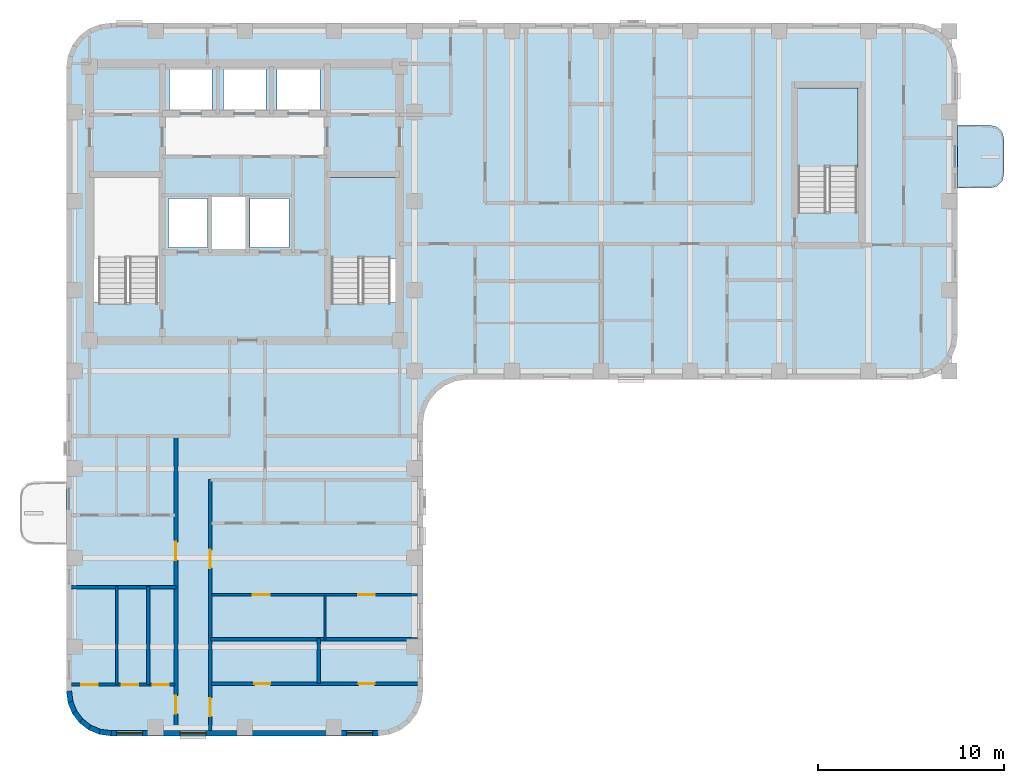
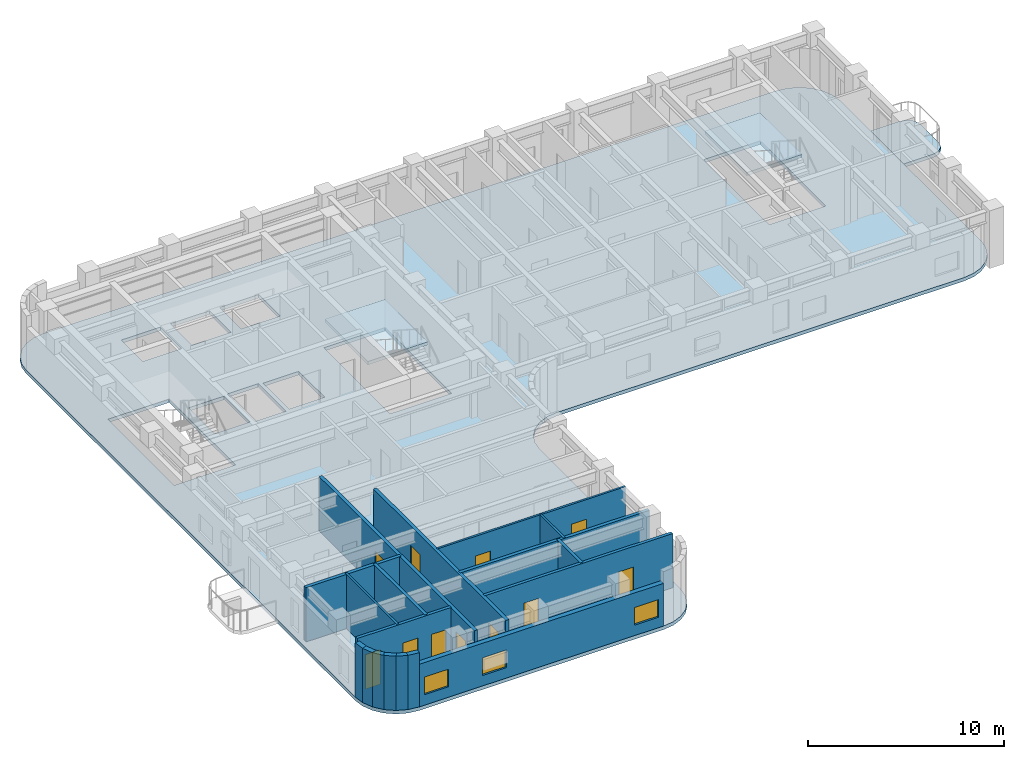
# One storey, part 2 of 10: 18 walls, 11 doors, 4 slabs, 3 windows, 14 openings, 2 elements without a shape of their own.
"""IFC4 building model written with IfcOpenShell, lengths in metres."""

from ifc_helpers import new_model, si_unit, direction, frame, frame_2d, origin, place, context, subcontext, project, spatial, polyline, rectangle, outline, extrude, material, layer, layer_set, type_object, element, fill, aggregate, save


model = new_model("IFC4")

# Units and contexts
model_context = context("Model", 3, precision=1e-05, world=origin(), true_north=direction((0.0, 1.0)))
body_context = subcontext(model_context, "Body", "Model", "MODEL_VIEW")
ifc_project = project(units=[si_unit("LENGTHUNIT", "METRE"), si_unit("AREAUNIT", "SQUARE_METRE"), si_unit("VOLUMEUNIT", "CUBIC_METRE"), si_unit("PLANEANGLEUNIT", "RADIAN"), si_unit("MASSUNIT", "GRAM", prefix="KILO")], contexts=[model_context])

# Site, building, storey
site_placement = place(None, origin())
site = spatial("IfcSite", under=ifc_project, at=site_placement, CompositionType="ELEMENT")
building_placement = place(site_placement, origin())
building = spatial("IfcBuilding", under=site, at=building_placement, Name="Orvandelia Arch Residences", CompositionType="ELEMENT")
storey_placement = place(building_placement, frame((0.0, 0.0, 221.800048828125)))
storey = spatial("IfcBuildingStorey", under=building, at=storey_placement, Name="L58", CompositionType="ELEMENT", Elevation=221.800048828125)

# Slab
ifc_material_1 = material(Name="Precast concrete C40/50", Category="concrete")
ifc_layer_1 = layer(ifc_material_1, 0.219970703125, Name="Precast concrete C40/50", Category="concrete")
ifc_layer_set_1 = layer_set([ifc_layer_1], Name="Precast concrete C40/50")
slab_type_1 = type_object("IfcSlabType", Name="SLB-BAL-220", PredefinedType="USERDEFINED", material=ifc_layer_set_1)
slab_1_placement = place(storey_placement, frame((0.0, 0.0, -0.219970703125)))
element("IfcSlab", 1, at=slab_1_placement, inside=storey, type_object=slab_type_1, Name="Tree Balcony Cantilever Slab BAL-L58-E1", ObjectType="BALCONY", PredefinedType="USERDEFINED", context=body_context, shape_type="SweptSolid", body=[
    extrude(outline(polyline([(52.800048828125, 42.5), (52.800048828125, 39.10009765625), (54.550048828125, 39.10009765625), (54.925048828125, 39.200439453125), (55.199462890625, 39.47509765625), (55.300048828125, 39.85009765625), (55.300048828125, 41.75), (55.199462890625, 42.125), (54.925048828125, 42.3994140625), (54.550048828125, 42.5), (52.800048828125, 42.5)])), origin(), (0.0, 0.0, 1.0), 0.219970703125),
])

# Stair, slab
ifc_material_2 = material(Name="Concrete C40/50", Category="concrete")
stair_type = type_object("IfcStairType", Name="STAIR-RC-DOGLEG", PredefinedType="HALF_TURN_STAIR", material=ifc_material_2)
stair_1_placement = place(storey_placement, origin())
stair_1 = element("IfcStair", 2, at=stair_1_placement, inside=storey, type_object=stair_type, Name="L58 Protected Exit Stair ST-2", PredefinedType="HALF_TURN_STAIR")
ifc_layer_2 = layer(ifc_material_2, 0.219970703125, Name="Concrete C40/50", Category="concrete")
ifc_layer_set_2 = layer_set([ifc_layer_2], Name="Concrete C40/50")
slab_type_2 = type_object("IfcSlabType", Name="SLB-LANDING-220", PredefinedType="LANDING", material=ifc_layer_set_2)
slab_2_placement = place(storey_placement, frame((0.0, 0.0, 1.599853515625)))
slab_2 = element("IfcSlab", 3, at=slab_2_placement, type_object=slab_type_2, Name="ST-2 landing 1", PredefinedType="LANDING", context=body_context, shape_type="SweptSolid", body=[
    extrude(outline(polyline([(22.5400390625, 35.31005859375), (22.5400390625, 39.68994140625), (19.0, 39.68994140625), (19.0, 35.31005859375), (22.5400390625, 35.31005859375)])), origin(), (0.0, 0.0, 1.0), 0.2001953125),
])
aggregate(stair_1, [slab_2])

stair_2_placement = place(storey_placement, origin())
stair_2 = element("IfcStair", 4, at=stair_2_placement, inside=storey, type_object=stair_type, Name="L58 East Wing Exit Stair ST-3", PredefinedType="HALF_TURN_STAIR")
slab_3_placement = place(storey_placement, frame((0.0, 0.0, 1.599853515625)))
slab_3 = element("IfcSlab", 5, at=slab_3_placement, type_object=slab_type_2, Name="ST-3 landing 1", PredefinedType="LANDING", context=body_context, shape_type="SweptSolid", body=[
    extrude(outline(polyline([(47.43994140625, 40.2099609375), (47.43994140625, 44.5), (44.179931640625, 44.5), (44.179931640625, 40.2099609375), (47.43994140625, 40.2099609375)])), origin(), (0.0, 0.0, 1.0), 0.2001953125),
])
aggregate(stair_2, [slab_3])

# Slab
ifc_layer_3 = layer(ifc_material_2, 0.219970703125, Name="Concrete C40/50", Category="concrete")
ifc_layer_set_3 = layer_set([ifc_layer_3], Name="Concrete C40/50")
slab_type_3 = type_object("IfcSlabType", Name="SLB-TWR-220", PredefinedType="FLOOR", material=ifc_layer_set_3)
slab_4_placement = place(storey_placement, frame((0.0, 0.0, -0.219970703125)))
element("IfcSlab", 6, at=slab_4_placement, inside=storey, type_object=slab_type_3, Name="Structural Floor Slab L58-1", PredefinedType="FLOOR", context=body_context, shape_type="SweptSolid", body=[
    extrude(outline(polyline([(4.800048828125, 12.0), (4.8818359375, 11.37890625), (5.12158203125, 10.800048828125), (5.5029296875, 10.302978515625), (6.0, 9.92138671875), (6.578857421875, 9.681884765625), (7.199951171875, 9.60009765625), (21.60009765625, 9.60009765625), (22.22119140625, 9.681884765625), (22.800048828125, 9.92138671875), (23.297119140625, 10.302978515625), (23.678466796875, 10.800048828125), (23.918212890625, 11.37890625), (24.0, 12.0), (24.0, 26.39990234375), (24.081787109375, 27.021240234375), (24.321533203125, 27.60009765625), (24.702880859375, 28.09716796875), (25.199951171875, 28.478515625), (25.77880859375, 28.71826171875), (26.39990234375, 28.800048828125), (50.39990234375, 28.800048828125), (51.021240234375, 28.8818359375), (51.60009765625, 29.12158203125), (52.09716796875, 29.5029296875), (52.478515625, 30.0), (52.71826171875, 30.578857421875), (52.800048828125, 31.199951171875), (52.800048828125, 45.60009765625), (52.71826171875, 46.22119140625), (52.478515625, 46.800048828125), (52.09716796875, 47.297119140625), (51.60009765625, 47.678466796875), (51.021240234375, 47.918212890625), (50.39990234375, 48.0), (7.199951171875, 48.0), (6.578857421875, 47.918212890625), (6.0, 47.678466796875), (5.5029296875, 47.297119140625), (5.12158203125, 46.800048828125), (4.8818359375, 46.22119140625), (4.800048828125, 45.60009765625), (4.800048828125, 12.0)]), holes=[polyline([(6.219970703125, 32.949951171875), (9.840087890625, 32.949951171875), (9.840087890625, 39.72998046875), (6.219970703125, 39.72998046875), (6.219970703125, 32.949951171875)]), polyline([(18.9599609375, 32.949951171875), (22.580078125, 32.949951171875), (22.580078125, 39.72998046875), (18.9599609375, 39.72998046875), (18.9599609375, 32.949951171875)]), polyline([(44.139892578125, 37.85009765625), (47.47998046875, 37.85009765625), (47.47998046875, 44.5400390625), (44.139892578125, 44.5400390625), (44.139892578125, 37.85009765625)]), polyline([(12.639892578125, 35.81005859375), (14.4599609375, 35.81005859375), (14.4599609375, 38.639892578125), (12.639892578125, 38.639892578125), (12.639892578125, 35.81005859375)]), polyline([(10.300048828125, 35.89990234375), (12.39990234375, 35.89990234375), (12.39990234375, 38.550048828125), (10.300048828125, 38.550048828125), (10.300048828125, 35.89990234375)]), polyline([(14.699951171875, 35.89990234375), (16.800048828125, 35.89990234375), (16.800048828125, 38.550048828125), (14.699951171875, 38.550048828125), (14.699951171875, 35.89990234375)]), polyline([(10.35009765625, 43.300048828125), (12.64990234375, 43.300048828125), (12.64990234375, 45.5), (10.35009765625, 45.5), (10.35009765625, 43.300048828125)]), polyline([(13.25, 43.300048828125), (15.550048828125, 43.300048828125), (15.550048828125, 45.5), (13.25, 45.5), (13.25, 43.300048828125)]), polyline([(16.14990234375, 43.300048828125), (18.449951171875, 43.300048828125), (18.449951171875, 45.5), (16.14990234375, 45.5), (16.14990234375, 43.300048828125)])]), origin(), (0.0, 0.0, 1.0), 0.219970703125),
])

# Wall, openings, doors
ifc_material_3 = material(Name="Fire-Rated Corridor Partition")
ifc_layer_4 = layer(ifc_material_3, 0.199951171875, Name="Fire-Rated Corridor Partition")
ifc_layer_set_4 = layer_set([ifc_layer_4], Name="Fire-Rated Corridor Partition")
wall_type_1 = type_object("IfcWallType", Name="WL-CORR-200", PredefinedType="PARTITIONING", material=ifc_layer_set_4)
wall_1_placement = place(storey_placement, frame((10.699951171875, 9.8798828125, 0.0), z_axis=(0.0, 0.0, 1.0), x_axis=(0.0, 1.0, 0.0)))
wall_1 = element("IfcWall", 7, at=wall_1_placement, inside=storey, type_object=wall_type_1, Name="Interior Partition Wall WL-L58-WC-W", PredefinedType="PARTITIONING", context=body_context, shape_type="SweptSolid", body=[
    extrude(rectangle(XDim=15.8701171875, YDim=0.199951171875, at=frame_2d((7.93505859375, 0.0))), origin(), (0.0, 0.0, 1.0), 3.3798828125),
])
opening_1_placement = place(wall_1_placement, frame((0.903076171875, 0.0, 0.0)))
opening_1 = element("IfcOpeningElement", 8, at=opening_1_placement, cuts=wall_1, Name="Opening D1", PredefinedType="OPENING", context=body_context, shape_type="SweptSolid", body=[
    extrude(rectangle(XDim=0.97998046875, YDim=2.179931640625, at=frame_2d((0.489990234375, 1.08984375))), frame((0.0, 0.10986328125, 0.0), z_axis=(0.0, -1.0, 0.0), x_axis=(1.0, 0.0, 0.0)), (0.0, 0.0, 1.0), 0.219970703125),
])
opening_2_placement = place(wall_1_placement, frame((9.18994140625, 0.0, 0.0)))
opening_2 = element("IfcOpeningElement", 9, at=opening_2_placement, cuts=wall_1, Name="Opening D1", PredefinedType="OPENING", context=body_context, shape_type="SweptSolid", body=[
    extrude(rectangle(XDim=0.97998046875, YDim=2.179931640625, at=frame_2d((0.489990234375, 1.08984375))), frame((0.0, 0.10986328125, 0.0), z_axis=(0.0, -1.0, 0.0), x_axis=(1.0, 0.0, 0.0)), (0.0, 0.0, 1.0), 0.219970703125),
])
ifc_material_4 = material(Name="Solid-Core Timber Acoustic Fire Door", Category="wood")
door_type_1 = type_object("IfcDoorType", Name="DR-ENT-980", OperationType="NOTDEFINED", PredefinedType="DOOR", material=ifc_material_4)
door_1_placement = place(opening_1_placement, origin())
door_1 = element("IfcDoor", 10, at=door_1_placement, inside=storey, type_object=door_type_1, Name="Unit L58-01 Entrance Door", OperationType="SINGLE_SWING_LEFT", OverallHeight=2.179931640625, OverallWidth=0.97998046875, PredefinedType="DOOR", context=body_context, shape_type="SweptSolid", body=[
    extrude(rectangle(XDim=0.97998046875, YDim=2.179931640625, at=frame_2d((0.489990234375, 1.08984375))), frame((0.0, 0.02490234375, 0.0), z_axis=(0.0, -1.0, 0.0), x_axis=(1.0, 0.0, 0.0)), (0.0, 0.0, 1.0), 0.050048828125),
])
fill(opening_1, door_1)
door_2_placement = place(opening_2_placement, origin())
door_2 = element("IfcDoor", 11, at=door_2_placement, inside=storey, type_object=door_type_1, Name="Unit L58-02 Entrance Door", OperationType="SINGLE_SWING_RIGHT", OverallHeight=2.179931640625, OverallWidth=0.97998046875, PredefinedType="DOOR", context=body_context, shape_type="SweptSolid", body=[
    extrude(rectangle(XDim=0.97998046875, YDim=2.179931640625, at=frame_2d((0.489990234375, 1.08984375))), frame((0.0, 0.02490234375, 0.0), z_axis=(0.0, -1.0, 0.0), x_axis=(1.0, 0.0, 0.0)), (0.0, 0.0, 1.0), 0.050048828125),
])
fill(opening_2, door_2)

wall_2_placement = place(storey_placement, frame((12.550048828125, 9.8798828125, 0.0), z_axis=(0.0, 0.0, 1.0), x_axis=(0.0, 1.0, 0.0)))
wall_2 = element("IfcWall", 12, at=wall_2_placement, inside=storey, type_object=wall_type_1, Name="Interior Partition Wall WL-L58-WC-E", PredefinedType="PARTITIONING", context=body_context, shape_type="SweptSolid", body=[
    extrude(rectangle(XDim=13.52001953125, YDim=0.199951171875, at=frame_2d((6.760009765625, 0.0))), origin(), (0.0, 0.0, 1.0), 3.3798828125),
])
opening_3_placement = place(wall_2_placement, frame((0.77490234375, 0.0, 0.0)))
opening_3 = element("IfcOpeningElement", 13, at=opening_3_placement, cuts=wall_2, Name="Opening D1", PredefinedType="OPENING", context=body_context, shape_type="SweptSolid", body=[
    extrude(rectangle(XDim=0.97998046875, YDim=2.179931640625, at=frame_2d((0.489990234375, 1.08984375))), frame((0.0, 0.10986328125, 0.0), z_axis=(0.0, -1.0, 0.0), x_axis=(1.0, 0.0, 0.0)), (0.0, 0.0, 1.0), 0.219970703125),
])
opening_4_placement = place(wall_2_placement, frame((8.759033203125, 0.0, 0.0)))
opening_4 = element("IfcOpeningElement", 14, at=opening_4_placement, cuts=wall_2, Name="Opening D1", PredefinedType="OPENING", context=body_context, shape_type="SweptSolid", body=[
    extrude(rectangle(XDim=0.97998046875, YDim=2.179931640625, at=frame_2d((0.489990234375, 1.08984375))), frame((0.0, 0.10986328125, 0.0), z_axis=(0.0, -1.0, 0.0), x_axis=(1.0, 0.0, 0.0)), (0.0, 0.0, 1.0), 0.219970703125),
])
door_3_placement = place(opening_3_placement, origin())
door_3 = element("IfcDoor", 15, at=door_3_placement, inside=storey, type_object=door_type_1, Name="Unit L58-03 Entrance Door", OperationType="SINGLE_SWING_LEFT", OverallHeight=2.179931640625, OverallWidth=0.97998046875, PredefinedType="DOOR", context=body_context, shape_type="SweptSolid", body=[
    extrude(rectangle(XDim=0.97998046875, YDim=2.179931640625, at=frame_2d((0.489990234375, 1.08984375))), frame((0.0, 0.02490234375, 0.0), z_axis=(0.0, -1.0, 0.0), x_axis=(1.0, 0.0, 0.0)), (0.0, 0.0, 1.0), 0.050048828125),
])
fill(opening_3, door_3)
door_4_placement = place(opening_4_placement, origin())
door_4 = element("IfcDoor", 16, at=door_4_placement, inside=storey, type_object=door_type_1, Name="Unit L58-04 Entrance Door", OperationType="SINGLE_SWING_RIGHT", OverallHeight=2.179931640625, OverallWidth=0.97998046875, PredefinedType="DOOR", context=body_context, shape_type="SweptSolid", body=[
    extrude(rectangle(XDim=0.97998046875, YDim=2.179931640625, at=frame_2d((0.489990234375, 1.08984375))), frame((0.0, 0.02490234375, 0.0), z_axis=(0.0, -1.0, 0.0), x_axis=(1.0, 0.0, 0.0)), (0.0, 0.0, 1.0), 0.050048828125),
])
fill(opening_4, door_4)

# Walls
ifc_layer_5 = layer(ifc_material_2, 0.199951171875, Name="Concrete C40/50", Category="concrete")
ifc_layer_set_5 = layer_set([ifc_layer_5], Name="Concrete C40/50")
wall_type_2 = type_object("IfcWallType", Name="WL-DEM-200", PredefinedType="SOLIDWALL", material=ifc_layer_set_5)
wall_3_placement = place(storey_placement, frame((5.080078125, 17.60009765625, 0.0), z_axis=(0.0, 0.0, 1.0), x_axis=(1.0, 0.0, 0.0)))
element("IfcWall", 17, at=wall_3_placement, inside=storey, type_object=wall_type_2, Name="Interior Partition Wall WL-L58-DEM-WL-176", PredefinedType="SOLIDWALL", context=body_context, shape_type="SweptSolid", body=[
    extrude(rectangle(XDim=5.619873046875, YDim=0.199951171875, at=frame_2d((2.81005859375, 0.0))), origin(), (0.0, 0.0, 1.0), 3.3798828125),
])
wall_4_placement = place(storey_placement, frame((12.550048828125, 14.800048828125, 0.0), z_axis=(0.0, 0.0, 1.0), x_axis=(1.0, 0.0, 0.0)))
element("IfcWall", 18, at=wall_4_placement, inside=storey, type_object=wall_type_2, Name="Interior Partition Wall WL-L58-DEM-WR-148", PredefinedType="SOLIDWALL", context=body_context, shape_type="SweptSolid", body=[
    extrude(rectangle(XDim=11.169921875, YDim=0.199951171875, at=frame_2d((5.5849609375, 0.0))), origin(), (0.0, 0.0, 1.0), 3.3798828125),
])

# Wall, openings, windows
ifc_layer_6 = layer(ifc_material_1, 0.280029296875, Name="Precast concrete C40/50", Category="concrete")
ifc_layer_set_6 = layer_set([ifc_layer_6], Name="Precast concrete C40/50")
wall_type_3 = type_object("IfcWallType", Name="WL-EXT-STONE-280", PredefinedType="STANDARD", material=ifc_layer_set_6)
wall_5_placement = place(storey_placement, frame((21.60009765625, 9.739990234375, 0.0), z_axis=(0.0, 0.0, 1.0), x_axis=(-1.0, 0.0, 0.0)))
wall_5 = element("IfcWall", 19, at=wall_5_placement, inside=storey, type_object=wall_type_3, Name="Coral-Limestone Precast Facade Wall L58-035", PredefinedType="STANDARD", context=body_context, shape_type="SweptSolid", body=[
    extrude(rectangle(XDim=14.400146484375, YDim=0.280029296875, at=frame_2d((7.2001953125, 0.0))), origin(), (0.0, 0.0, 1.0), 2.659912109375),
])
opening_5_placement = place(wall_5_placement, frame((0.3076171875, 0.0, 0.64990234375)))
opening_5 = element("IfcOpeningElement", 20, at=opening_5_placement, cuts=wall_5, Name="Opening W10", PredefinedType="OPENING", context=body_context, shape_type="SweptSolid", body=[
    extrude(rectangle(XDim=1.39990234375, YDim=1.10009765625, at=frame_2d((0.699951171875, 0.550048828125))), frame((0.0, 0.14990234375, 0.0), z_axis=(0.0, -1.0, 0.0), x_axis=(1.0, 0.0, 0.0)), (0.0, 0.0, 1.0), 0.300048828125),
])
opening_6_placement = place(wall_5_placement, frame((9.27490234375, 0.0, 0.64990234375)))
opening_6 = element("IfcOpeningElement", 21, at=opening_6_placement, cuts=wall_5, Name="Opening W10", PredefinedType="OPENING", context=body_context, shape_type="SweptSolid", body=[
    extrude(rectangle(XDim=1.39990234375, YDim=1.10009765625, at=frame_2d((0.699951171875, 0.550048828125))), frame((0.0, 0.14990234375, 0.0), z_axis=(0.0, -1.0, 0.0), x_axis=(1.0, 0.0, 0.0)), (0.0, 0.0, 1.0), 0.300048828125),
])
opening_7_placement = place(wall_5_placement, frame((12.6923828125, 0.0, 0.64990234375)))
opening_7 = element("IfcOpeningElement", 22, at=opening_7_placement, cuts=wall_5, Name="Opening W10", PredefinedType="OPENING", context=body_context, shape_type="SweptSolid", body=[
    extrude(rectangle(XDim=1.39990234375, YDim=1.10009765625, at=frame_2d((0.699951171875, 0.550048828125))), frame((0.0, 0.14990234375, 0.0), z_axis=(0.0, -1.0, 0.0), x_axis=(1.0, 0.0, 0.0)), (0.0, 0.0, 1.0), 0.300048828125),
])
ifc_material_5 = material(Name="Tempered Low-E Insulated Glazing", Category="glass")
window_type = type_object("IfcWindowType", Name="WIN-CLR-1400x1100", PartitioningType="SINGLE_PANEL", PredefinedType="WINDOW", material=ifc_material_5)
window_1_placement = place(opening_5_placement, origin())
window_1 = element("IfcWindow", 23, at=window_1_placement, inside=storey, type_object=window_type, Name="Recessed Punched Window L58-023", OverallHeight=1.10009765625, OverallWidth=1.39990234375, PartitioningType="SINGLE_PANEL", PredefinedType="WINDOW", context=body_context, shape_type="SweptSolid", body=[
    extrude(rectangle(XDim=1.39990234375, YDim=1.10009765625, at=frame_2d((0.699951171875, 0.550048828125))), frame((0.0, 0.030029296875, 0.0), z_axis=(0.0, -1.0, 0.0), x_axis=(1.0, 0.0, 0.0)), (0.0, 0.0, 1.0), 0.06005859375),
])
fill(opening_5, window_1)
window_2_placement = place(opening_6_placement, origin())
window_2 = element("IfcWindow", 24, at=window_2_placement, inside=storey, type_object=window_type, Name="Recessed Punched Window L58-024", OverallHeight=1.10009765625, OverallWidth=1.39990234375, PartitioningType="SINGLE_PANEL", PredefinedType="WINDOW", context=body_context, shape_type="SweptSolid", body=[
    extrude(rectangle(XDim=1.39990234375, YDim=1.10009765625, at=frame_2d((0.699951171875, 0.550048828125))), frame((0.0, 0.030029296875, 0.0), z_axis=(0.0, -1.0, 0.0), x_axis=(1.0, 0.0, 0.0)), (0.0, 0.0, 1.0), 0.06005859375),
])
fill(opening_6, window_2)
window_3_placement = place(opening_7_placement, origin())
window_3 = element("IfcWindow", 25, at=window_3_placement, inside=storey, type_object=window_type, Name="Recessed Punched Window L58-025", OverallHeight=1.10009765625, OverallWidth=1.39990234375, PartitioningType="SINGLE_PANEL", PredefinedType="WINDOW", context=body_context, shape_type="SweptSolid", body=[
    extrude(rectangle(XDim=1.39990234375, YDim=1.10009765625, at=frame_2d((0.699951171875, 0.550048828125))), frame((0.0, 0.030029296875, 0.0), z_axis=(0.0, -1.0, 0.0), x_axis=(1.0, 0.0, 0.0)), (0.0, 0.0, 1.0), 0.06005859375),
])
fill(opening_7, window_3)

# Walls
wall_6_placement = place(storey_placement, frame((7.21826171875, 9.73876953125, 0.0), z_axis=(0.0, 0.0, 1.0), x_axis=(-0.9914410257, 0.130555323746, 0.0)))
element("IfcWall", 26, at=wall_6_placement, inside=storey, type_object=wall_type_3, Name="Coral-Limestone Precast Facade Wall L58-036", PredefinedType="STANDARD", context=body_context, shape_type="SweptSolid", body=[
    extrude(rectangle(XDim=0.62646484375, YDim=0.280029296875, at=frame_2d((0.313232421875, 0.0))), origin(), (0.0, 0.0, 1.0), 3.3798828125),
])
wall_7_placement = place(storey_placement, frame((6.63232421875, 9.81103515625, 0.0), z_axis=(0.0, 0.0, 1.0), x_axis=(-0.923836271867, 0.382787856107, 0.0)))
element("IfcWall", 27, at=wall_7_placement, inside=storey, type_object=wall_type_3, Name="Coral-Limestone Precast Facade Wall L58-037", PredefinedType="STANDARD", context=body_context, shape_type="SweptSolid", body=[
    extrude(rectangle(XDim=0.626220703125, YDim=0.280029296875, at=frame_2d((0.31298828125, 0.0))), origin(), (0.0, 0.0, 1.0), 3.3798828125),
])
for number, where, z_axis, x_axis, name in (
    (28, (6.085205078125, 10.03271484375, 0.0), (0.0, 0.0, 1.0), (-0.793405610854, 0.608693302629, 0.0), "Coral-Limestone Precast Facade Wall L58-038"),
    (29, (5.614013671875, 10.38818359375, 0.0), (0.0, 0.0, 1.0), (-0.608693302629, 0.793405610854, 0.0), "Coral-Limestone Precast Facade Wall L58-039"),
    (30, (5.250732421875, 10.853515625, 0.0), (0.0, 0.0, 1.0), (-0.382650053678, 0.92389335771, 0.0), "Coral-Limestone Precast Facade Wall L58-040"),
    (31, (5.0205078125, 11.397216796875, 0.0), (0.0, 0.0, 1.0), (-0.130555323746, 0.9914410257, 0.0), "Coral-Limestone Precast Facade Wall L58-041"),
):
    element("IfcWall", number, at=place(storey_placement, frame(where, z_axis=z_axis, x_axis=x_axis)), inside=storey, type_object=wall_type_3, Name=name, PredefinedType="STANDARD", context=body_context, shape_type="SweptSolid", body=[
        extrude(rectangle(XDim=0.62646484375, YDim=0.280029296875, at=frame_2d((0.313232421875, 0.0))), origin(), (0.0, 0.0, 1.0), 3.3798828125),
    ])
ifc_material_6 = material(Name="Lightweight Gypsum Stud Partition")
ifc_layer_7 = layer(ifc_material_6, 0.1201171875, Name="Lightweight Gypsum Stud Partition")
ifc_layer_set_7 = layer_set([ifc_layer_7], Name="Lightweight Gypsum Stud Partition")
wall_type_4 = type_object("IfcWallType", Name="WL-PART-120", PredefinedType="PARTITIONING", material=ifc_layer_set_7)
wall_8_placement = place(storey_placement, frame((7.514892578125, 12.365966796875, 0.0), z_axis=(0.0, 0.0, 1.0), x_axis=(0.0, 1.0, 0.0)))
element("IfcWall", 32, at=wall_8_placement, inside=storey, type_object=wall_type_4, Name="Interior Partition Wall WL-L58-U01-V1", PredefinedType="PARTITIONING", context=body_context, shape_type="SweptSolid", body=[
    extrude(rectangle(XDim=5.27392578125, YDim=0.1201171875, at=frame_2d((2.636962890625, 0.0))), origin(), (0.0, 0.0, 1.0), 3.3798828125),
])

# Wall, openings, doors
wall_9_placement = place(storey_placement, frame((12.610107421875, 17.197998046875, 0.0), z_axis=(0.0, 0.0, 1.0), x_axis=(1.0, 0.0, 0.0)))
wall_9 = element("IfcWall", 33, at=wall_9_placement, inside=storey, type_object=wall_type_4, Name="Interior Partition Wall WL-L58-U04-HB", PredefinedType="PARTITIONING", context=body_context, shape_type="SweptSolid", body=[
    extrude(rectangle(XDim=11.10986328125, YDim=0.1201171875, at=frame_2d((5.554931640625, 0.0))), origin(), (0.0, 0.0, 1.0), 3.3798828125),
])
opening_8_placement = place(wall_9_placement, frame((2.2373046875, 0.0, 0.0)))
opening_8 = element("IfcOpeningElement", 34, at=opening_8_placement, cuts=wall_9, Name="Opening D3", PredefinedType="OPENING", context=body_context, shape_type="SweptSolid", body=[
    extrude(rectangle(XDim=0.89990234375, YDim=2.14990234375, at=frame_2d((0.449951171875, 1.074951171875))), frame((0.0, 0.070068359375, 0.0), z_axis=(0.0, -1.0, 0.0), x_axis=(1.0, 0.0, 0.0)), (0.0, 0.0, 1.0), 0.14013671875),
])
opening_9_placement = place(wall_9_placement, frame((7.903076171875, 0.0, 0.0)))
opening_9 = element("IfcOpeningElement", 35, at=opening_9_placement, cuts=wall_9, Name="Opening D3", PredefinedType="OPENING", context=body_context, shape_type="SweptSolid", body=[
    extrude(rectangle(XDim=0.89990234375, YDim=2.14990234375, at=frame_2d((0.449951171875, 1.074951171875))), frame((0.0, 0.070068359375, 0.0), z_axis=(0.0, -1.0, 0.0), x_axis=(1.0, 0.0, 0.0)), (0.0, 0.0, 1.0), 0.14013671875),
])
ifc_material_7 = material(Name="Engineered Timber Flush Door", Category="wood")
door_type_2 = type_object("IfcDoorType", Name="DR-INT-900", OperationType="NOTDEFINED", PredefinedType="DOOR", material=ifc_material_7)
door_5_placement = place(opening_8_placement, origin())
door_5 = element("IfcDoor", 36, at=door_5_placement, inside=storey, type_object=door_type_2, Name="DR-L58-U04-STDY", OperationType="SINGLE_SWING_RIGHT", OverallHeight=2.14990234375, OverallWidth=0.89990234375, PredefinedType="DOOR", context=body_context, shape_type="SweptSolid", body=[
    extrude(rectangle(XDim=0.89990234375, YDim=2.14990234375, at=frame_2d((0.449951171875, 1.074951171875))), frame((0.0, 0.02490234375, 0.0), z_axis=(0.0, -1.0, 0.0), x_axis=(1.0, 0.0, 0.0)), (0.0, 0.0, 1.0), 0.050048828125),
])
fill(opening_8, door_5)
door_6_placement = place(opening_9_placement, origin())
door_6 = element("IfcDoor", 37, at=door_6_placement, inside=storey, type_object=door_type_2, Name="DR-L58-U04-BD2", OperationType="SINGLE_SWING_LEFT", OverallHeight=2.14990234375, OverallWidth=0.89990234375, PredefinedType="DOOR", context=body_context, shape_type="SweptSolid", body=[
    extrude(rectangle(XDim=0.89990234375, YDim=2.14990234375, at=frame_2d((0.449951171875, 1.074951171875))), frame((0.0, 0.02490234375, 0.0), z_axis=(0.0, -1.0, 0.0), x_axis=(1.0, 0.0, 0.0)), (0.0, 0.0, 1.0), 0.050048828125),
])
fill(opening_9, door_6)

# Wall
wall_10_placement = place(storey_placement, frame((18.73193359375, 14.760009765625, 0.0), z_axis=(0.0, 0.0, 1.0), x_axis=(0.0, 1.0, 0.0)))
element("IfcWall", 38, at=wall_10_placement, inside=storey, type_object=wall_type_4, Name="Interior Partition Wall WL-L58-U04-VB", PredefinedType="PARTITIONING", context=body_context, shape_type="SweptSolid", body=[
    extrude(rectangle(XDim=2.43798828125, YDim=0.1201171875, at=frame_2d((1.218994140625, 0.0))), origin(), (0.0, 0.0, 1.0), 3.3798828125),
])

# Wall, openings, doors
ifc_material_8 = material(Name="Moisture-Resistant Plumbing Wall")
ifc_layer_8 = layer(ifc_material_8, 0.179931640625, Name="Moisture-Resistant Plumbing Wall")
ifc_layer_set_8 = layer_set([ifc_layer_8], Name="Moisture-Resistant Plumbing Wall")
wall_type_5 = type_object("IfcWallType", Name="WL-WET-180", PredefinedType="PLUMBINGWALL", material=ifc_layer_set_8)
wall_11_placement = place(storey_placement, frame((5.080078125, 12.365966796875, 0.0), z_axis=(0.0, 0.0, 1.0), x_axis=(1.0, 0.0, 0.0)))
wall_11 = element("IfcWall", 39, at=wall_11_placement, inside=storey, type_object=wall_type_5, Name="Interior Partition Wall WL-L58-U01-HZ", PredefinedType="PLUMBINGWALL", context=body_context, shape_type="SweptSolid", body=[
    extrude(rectangle(XDim=5.559814453125, YDim=0.179931640625, at=frame_2d((2.77978515625, 0.0))), origin(), (0.0, 0.0, 1.0), 3.3798828125),
])
opening_10_placement = place(wall_11_placement, frame((0.51220703125, 0.0, 0.0)))
opening_10 = element("IfcOpeningElement", 40, at=opening_10_placement, cuts=wall_11, Name="Opening D3", PredefinedType="OPENING", context=body_context, shape_type="SweptSolid", body=[
    extrude(rectangle(XDim=0.89990234375, YDim=2.14990234375, at=frame_2d((0.449951171875, 1.074951171875))), frame((0.0, 0.10009765625, 0.0), z_axis=(0.0, -1.0, 0.0), x_axis=(1.0, 0.0, 0.0)), (0.0, 0.0, 1.0), 0.199951171875),
])
opening_11_placement = place(wall_11_placement, frame((2.695068359375, 0.0, 0.0)))
opening_11 = element("IfcOpeningElement", 41, at=opening_11_placement, cuts=wall_11, Name="Opening D3", PredefinedType="OPENING", context=body_context, shape_type="SweptSolid", body=[
    extrude(rectangle(XDim=0.89990234375, YDim=2.14990234375, at=frame_2d((0.449951171875, 1.074951171875))), frame((0.0, 0.10009765625, 0.0), z_axis=(0.0, -1.0, 0.0), x_axis=(1.0, 0.0, 0.0)), (0.0, 0.0, 1.0), 0.199951171875),
])
opening_12_placement = place(wall_11_placement, frame((4.382080078125, 0.0, 0.0)))
opening_12 = element("IfcOpeningElement", 42, at=opening_12_placement, cuts=wall_11, Name="Opening D4", PredefinedType="OPENING", context=body_context, shape_type="SweptSolid", body=[
    extrude(rectangle(XDim=0.860107421875, YDim=2.10009765625, at=frame_2d((0.43017578125, 1.050048828125))), frame((0.0, 0.10009765625, 0.0), z_axis=(0.0, -1.0, 0.0), x_axis=(1.0, 0.0, 0.0)), (0.0, 0.0, 1.0), 0.199951171875),
])
door_7_placement = place(opening_10_placement, origin())
door_7 = element("IfcDoor", 43, at=door_7_placement, inside=storey, type_object=door_type_2, Name="DR-L58-U01-BD1", OperationType="SINGLE_SWING_LEFT", OverallHeight=2.14990234375, OverallWidth=0.89990234375, PredefinedType="DOOR", context=body_context, shape_type="SweptSolid", body=[
    extrude(rectangle(XDim=0.89990234375, YDim=2.14990234375, at=frame_2d((0.449951171875, 1.074951171875))), frame((0.0, 0.02490234375, 0.0), z_axis=(0.0, -1.0, 0.0), x_axis=(1.0, 0.0, 0.0)), (0.0, 0.0, 1.0), 0.050048828125),
])
fill(opening_10, door_7)
door_8_placement = place(opening_11_placement, origin())
door_8 = element("IfcDoor", 44, at=door_8_placement, inside=storey, type_object=door_type_2, Name="DR-L58-U01-KIT", OperationType="SINGLE_SWING_RIGHT", OverallHeight=2.14990234375, OverallWidth=0.89990234375, PredefinedType="DOOR", context=body_context, shape_type="SweptSolid", body=[
    extrude(rectangle(XDim=0.89990234375, YDim=2.14990234375, at=frame_2d((0.449951171875, 1.074951171875))), frame((0.0, 0.02490234375, 0.0), z_axis=(0.0, -1.0, 0.0), x_axis=(1.0, 0.0, 0.0)), (0.0, 0.0, 1.0), 0.050048828125),
])
fill(opening_11, door_8)
ifc_material_9 = material(Name="Moisture-Sealed Timber Bathroom Door", Category="wood")
door_type_3 = type_object("IfcDoorType", Name="DR-WET-900", OperationType="NOTDEFINED", PredefinedType="DOOR", material=ifc_material_9)
door_9_placement = place(opening_12_placement, origin())
door_9 = element("IfcDoor", 45, at=door_9_placement, inside=storey, type_object=door_type_3, Name="DR-L58-U01-BTH", OperationType="SINGLE_SWING_LEFT", OverallHeight=2.10009765625, OverallWidth=0.860107421875, PredefinedType="DOOR", context=body_context, shape_type="SweptSolid", body=[
    extrude(rectangle(XDim=0.860107421875, YDim=2.10009765625, at=frame_2d((0.43017578125, 1.050048828125))), frame((0.0, 0.02490234375, 0.0), z_axis=(0.0, -1.0, 0.0), x_axis=(1.0, 0.0, 0.0)), (0.0, 0.0, 1.0), 0.050048828125),
])
fill(opening_12, door_9)

# Wall
wall_12_placement = place(storey_placement, frame((9.201904296875, 12.365966796875, 0.0), z_axis=(0.0, 0.0, 1.0), x_axis=(0.0, 1.0, 0.0)))
element("IfcWall", 46, at=wall_12_placement, inside=storey, type_object=wall_type_5, Name="Interior Partition Wall WL-L58-U01-V2", PredefinedType="PLUMBINGWALL", context=body_context, shape_type="SweptSolid", body=[
    extrude(rectangle(XDim=5.27392578125, YDim=0.179931640625, at=frame_2d((2.636962890625, 0.0))), origin(), (0.0, 0.0, 1.0), 3.3798828125),
])

# Wall, openings, doors
wall_13_placement = place(storey_placement, frame((12.610107421875, 12.409912109375, 0.0), z_axis=(0.0, 0.0, 1.0), x_axis=(1.0, 0.0, 0.0)))
wall_13 = element("IfcWall", 47, at=wall_13_placement, inside=storey, type_object=wall_type_5, Name="Interior Partition Wall WL-L58-U03-HZ", PredefinedType="PLUMBINGWALL", context=body_context, shape_type="SweptSolid", body=[
    extrude(rectangle(XDim=11.10986328125, YDim=0.179931640625, at=frame_2d((5.554931640625, 0.0))), origin(), (0.0, 0.0, 1.0), 3.3798828125),
])
opening_13_placement = place(wall_13_placement, frame((2.319091796875, 0.0, 0.0)))
opening_13 = element("IfcOpeningElement", 48, at=opening_13_placement, cuts=wall_13, Name="Opening D4", PredefinedType="OPENING", context=body_context, shape_type="SweptSolid", body=[
    extrude(rectangle(XDim=0.860107421875, YDim=2.10009765625, at=frame_2d((0.43017578125, 1.050048828125))), frame((0.0, 0.10009765625, 0.0), z_axis=(0.0, -1.0, 0.0), x_axis=(1.0, 0.0, 0.0)), (0.0, 0.0, 1.0), 0.199951171875),
])
opening_14_placement = place(wall_13_placement, frame((7.93408203125, 0.0, 0.0)))
opening_14 = element("IfcOpeningElement", 49, at=opening_14_placement, cuts=wall_13, Name="Opening D4", PredefinedType="OPENING", context=body_context, shape_type="SweptSolid", body=[
    extrude(rectangle(XDim=0.860107421875, YDim=2.10009765625, at=frame_2d((0.43017578125, 1.050048828125))), frame((0.0, 0.10009765625, 0.0), z_axis=(0.0, -1.0, 0.0), x_axis=(1.0, 0.0, 0.0)), (0.0, 0.0, 1.0), 0.199951171875),
])
door_10_placement = place(opening_13_placement, origin())
door_10 = element("IfcDoor", 50, at=door_10_placement, inside=storey, type_object=door_type_3, Name="DR-L58-U03-KIT", OperationType="SINGLE_SWING_LEFT", OverallHeight=2.10009765625, OverallWidth=0.860107421875, PredefinedType="DOOR", context=body_context, shape_type="SweptSolid", body=[
    extrude(rectangle(XDim=0.860107421875, YDim=2.10009765625, at=frame_2d((0.43017578125, 1.050048828125))), frame((0.0, 0.02490234375, 0.0), z_axis=(0.0, -1.0, 0.0), x_axis=(1.0, 0.0, 0.0)), (0.0, 0.0, 1.0), 0.050048828125),
])
fill(opening_13, door_10)
door_11_placement = place(opening_14_placement, origin())
door_11 = element("IfcDoor", 51, at=door_11_placement, inside=storey, type_object=door_type_3, Name="DR-L58-U03-BTH", OperationType="SINGLE_SWING_RIGHT", OverallHeight=2.10009765625, OverallWidth=0.860107421875, PredefinedType="DOOR", context=body_context, shape_type="SweptSolid", body=[
    extrude(rectangle(XDim=0.860107421875, YDim=2.10009765625, at=frame_2d((0.43017578125, 1.050048828125))), frame((0.0, 0.02490234375, 0.0), z_axis=(0.0, -1.0, 0.0), x_axis=(1.0, 0.0, 0.0)), (0.0, 0.0, 1.0), 0.050048828125),
])
fill(opening_14, door_11)

# Wall
wall_14_placement = place(storey_placement, frame((18.39794921875, 12.409912109375, 0.0), z_axis=(0.0, 0.0, 1.0), x_axis=(0.0, 1.0, 0.0)))
element("IfcWall", 52, at=wall_14_placement, inside=storey, type_object=wall_type_5, Name="Interior Partition Wall WL-L58-U03-V1", PredefinedType="PLUMBINGWALL", context=body_context, shape_type="SweptSolid", body=[
    extrude(rectangle(XDim=2.43017578125, YDim=0.179931640625, at=frame_2d((1.215087890625, 0.0))), origin(), (0.0, 0.0, 1.0), 3.3798828125),
])

save(model, "model.ifc")
